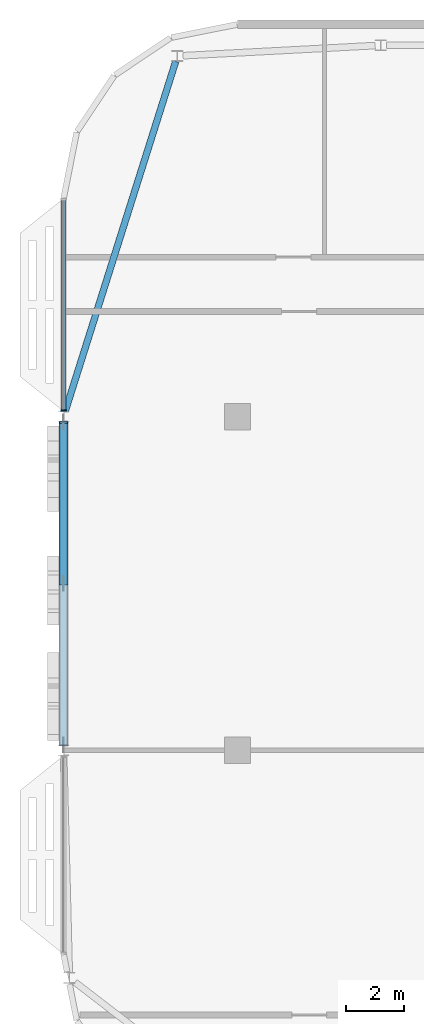
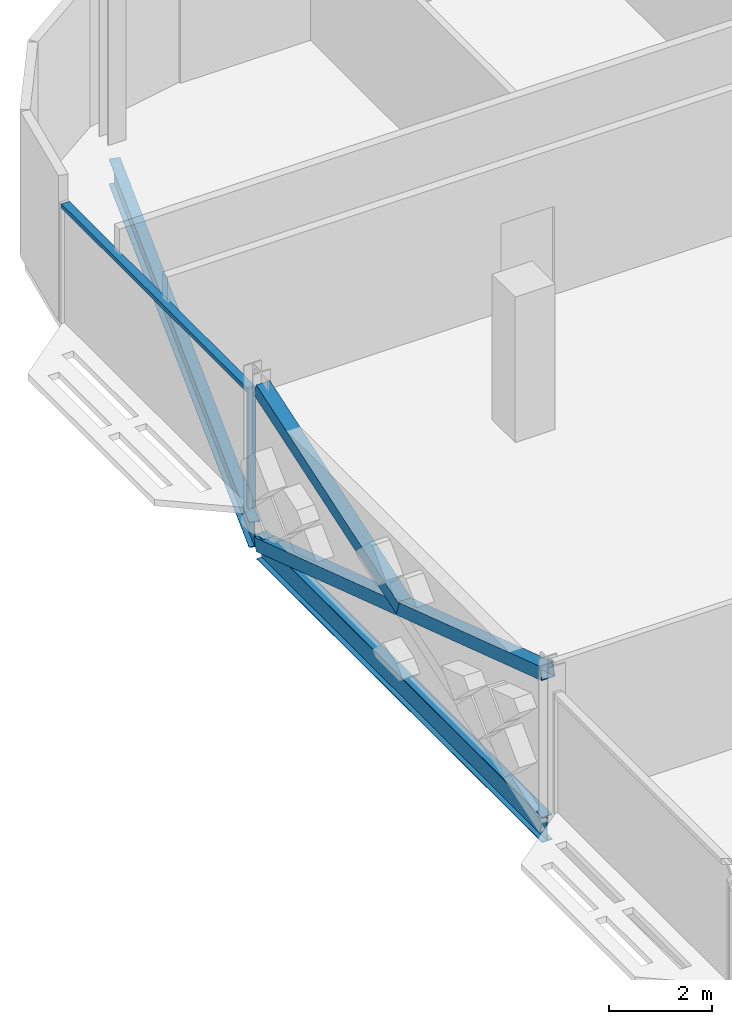
# One storey, part 6 of 29: 4 members, 2 beams, 1 element without a shape of its own.
"""IFC4 building model written with IfcOpenShell, lengths in metres."""

from ifc_helpers import new_model, si_unit, direction, frame, origin, origin_2d, place, context, subcontext, project, spatial, rectangle, hollow_rectangle, i_section, extrude, material, material_profile, profile_set, type_object, element, aggregate, save


model = new_model("IFC4")

# Units and contexts
model_context = context("Model", 3, precision=1e-05, world=origin(), true_north=direction((0.0, 1.0)))
body_context = subcontext(model_context, "Body", "Model", "MODEL_VIEW")
ifc_project = project(units=[si_unit("LENGTHUNIT", "METRE"), si_unit("AREAUNIT", "SQUARE_METRE"), si_unit("VOLUMEUNIT", "CUBIC_METRE"), si_unit("PLANEANGLEUNIT", "RADIAN"), si_unit("MASSUNIT", "GRAM", prefix="KILO")], contexts=[model_context])

# Site, building, storey
site_placement = place(None, origin())
site = spatial("IfcSite", under=ifc_project, at=site_placement, CompositionType="ELEMENT")
building_placement = place(site_placement, origin())
building = spatial("IfcBuilding", under=site, at=building_placement, Name="Mahtab Terrace Research Tower", CompositionType="ELEMENT")
storey_placement = place(building_placement, frame((0.0, 0.0, 274.699951171875)))
storey = spatial("IfcBuildingStorey", under=building, at=storey_placement, Name="L67", CompositionType="ELEMENT", Elevation=274.699951171875)

# Members
ifc_material_1 = material(Name="Steel ASTM A500 Gr C", Category="steel")
ifc_material_profile_1 = material_profile(ifc_material_1, hollow_rectangle(XDim=0.3046875, YDim=0.3046875, WallThickness=0.015869140625, at=origin_2d()), Name="HSS12X12X5/8")
ifc_profile_set_1 = profile_set([ifc_material_profile_1], Name="Steel ASTM A500 Gr C")
member_type_1 = type_object("IfcMemberType", Name="HSS 12x12x5/8 brace XB121258", PredefinedType="BRACE", material=ifc_profile_set_1)
member_1_placement = place(storey_placement, frame((-48.0, 11.31201171875, -0.581298828125), z_axis=(0.0, -0.949505289695, 0.313751023651), x_axis=(1.0, 0.0, 0.0)))
element("IfcMember", 1, at=member_1_placement, inside=storey, type_object=member_type_1, Name="Exoskeleton brace L67 11 a", PredefinedType="BRACE", context=body_context, shape_type="SweptSolid", body=[
    extrude(hollow_rectangle(XDim=0.3046875, YDim=0.3046875, WallThickness=0.015869140625, at=origin_2d()), origin(), (0.0, 0.0, 1.0), 11.715576171875),
])
member_2_placement = place(storey_placement, frame((-48.0, 5.75, 1.256591796875), z_axis=(0.0, 0.949505289695, 0.313751023651), x_axis=(-1.0, 0.0, 0.0)))
element("IfcMember", 2, at=member_2_placement, inside=storey, type_object=member_type_1, Name="Exoskeleton brace L67 11 b2", PredefinedType="BRACE", context=body_context, shape_type="SweptSolid", body=[
    extrude(hollow_rectangle(XDim=0.3046875, YDim=0.3046875, WallThickness=0.015869140625, at=origin_2d()), origin(), (0.0, 0.0, 1.0), 5.85791015625),
])

# Curtain wall, members
ifc_material_2 = material(Name="Office ribbon curtain wall")
curtain_wall_type = type_object("IfcCurtainWallType", Name="Office ribbon curtain wall", PredefinedType="NOTDEFINED", material=ifc_material_2)
curtain_wall_placement = place(storey_placement, origin())
curtain_wall = element("IfcCurtainWall", 3, at=curtain_wall_placement, inside=storey, type_object=curtain_wall_type, Name="EN.L67.8.8", PredefinedType="NOTDEFINED")
ifc_material_3 = material(Name="Natural anodised aluminium", Category="aluminium")
ifc_material_profile_2 = material_profile(ifc_material_3, rectangle(XDim=0.179931640625, YDim=0.06005859375, at=origin_2d()), Name="MULLION 60x180")
ifc_profile_set_2 = profile_set([ifc_material_profile_2], Name="Natural anodised aluminium")
member_type_2 = type_object("IfcMemberType", Name="Office ribbon curtain wall mullion", PredefinedType="MULLION", material=ifc_profile_set_2)
member_3_placement = place(storey_placement, frame((-48.0, 11.718017578125, 0.0), z_axis=(0.0, 0.0, 1.0), x_axis=(1.0, 0.0, 0.0)))
member_3 = element("IfcMember", 4, at=member_3_placement, type_object=member_type_2, Name="CWO-8 mullion 2", PredefinedType="MULLION", context=body_context, shape_type="SweptSolid", body=[
    extrude(rectangle(XDim=0.179931640625, YDim=0.06005859375, at=origin_2d()), origin(), (0.0, 0.0, 1.0), 2.85302734375),
])
ifc_material_profile_3 = material_profile(ifc_material_3, rectangle(XDim=0.179931640625, YDim=0.10009765625, at=origin_2d()), Name="TRANSOM 100x180")
ifc_profile_set_3 = profile_set([ifc_material_profile_3], Name="Natural anodised aluminium")
member_type_3 = type_object("IfcMemberType", Name="Office ribbon curtain wall transom", PredefinedType="USERDEFINED", material=ifc_profile_set_3)
member_4_placement = place(storey_placement, frame((-48.0, 18.968994140625, 2.802978515625), z_axis=(0.0, -1.0, 0.0), x_axis=(1.0, 0.0, 0.0)))
member_4 = element("IfcMember", 5, at=member_4_placement, type_object=member_type_3, Name="CWO-8 transom 1", ObjectType="TRANSOM", PredefinedType="USERDEFINED", context=body_context, shape_type="SweptSolid", body=[
    extrude(rectangle(XDim=0.179931640625, YDim=0.10009765625, at=origin_2d()), origin(), (0.0, 0.0, 1.0), 7.220947265625),
])
aggregate(curtain_wall, [member_3, member_4])

# Beams
ifc_material_4 = material(Name="Steel ASTM A992 Gr 50", Category="steel")
ifc_material_profile_4 = material_profile(ifc_material_4, i_section(OverallWidth=0.228271484375, OverallDepth=0.607177734375, WebThickness=0.01123046875, FlangeThickness=0.017333984375, at=origin_2d()), Name="W24X76")
ifc_profile_set_4 = profile_set([ifc_material_profile_4], Name="Steel ASTM A992 Gr 50")
beam_type = type_object("IfcBeamType", Name="W24x76 beam BS2476", PredefinedType="BEAM", material=ifc_profile_set_4)
beam_1_placement = place(storey_placement, frame((-44.13134765625, 23.7490234375, -0.6435546875), z_axis=(-0.301172937978, -0.953569536756, 0.0), x_axis=(0.953569536756, -0.301172937978, 0.0)))
element("IfcBeam", 6, at=beam_1_placement, inside=storey, type_object=beam_type, Name="Spandrel beam L67 10", PredefinedType="BEAM", context=body_context, shape_type="SweptSolid", body=[
    extrude(i_section(OverallWidth=0.228271484375, OverallDepth=0.607177734375, WebThickness=0.01123046875, FlangeThickness=0.017333984375, at=origin_2d()), origin(), (0.0, 0.0, 1.0), 12.648193359375),
])
beam_2_placement = place(storey_placement, frame((-48.0, 11.31201171875, -0.6435546875), z_axis=(0.0, -1.0, 0.0), x_axis=(1.0, 0.0, 0.0)))
element("IfcBeam", 7, at=beam_2_placement, inside=storey, type_object=beam_type, Name="Spandrel beam L67 11", PredefinedType="BEAM", context=body_context, shape_type="SweptSolid", body=[
    extrude(i_section(OverallWidth=0.228271484375, OverallDepth=0.607177734375, WebThickness=0.01123046875, FlangeThickness=0.017333984375, at=origin_2d()), origin(), (0.0, 0.0, 1.0), 11.1240234375),
])

save(model, "model.ifc")
